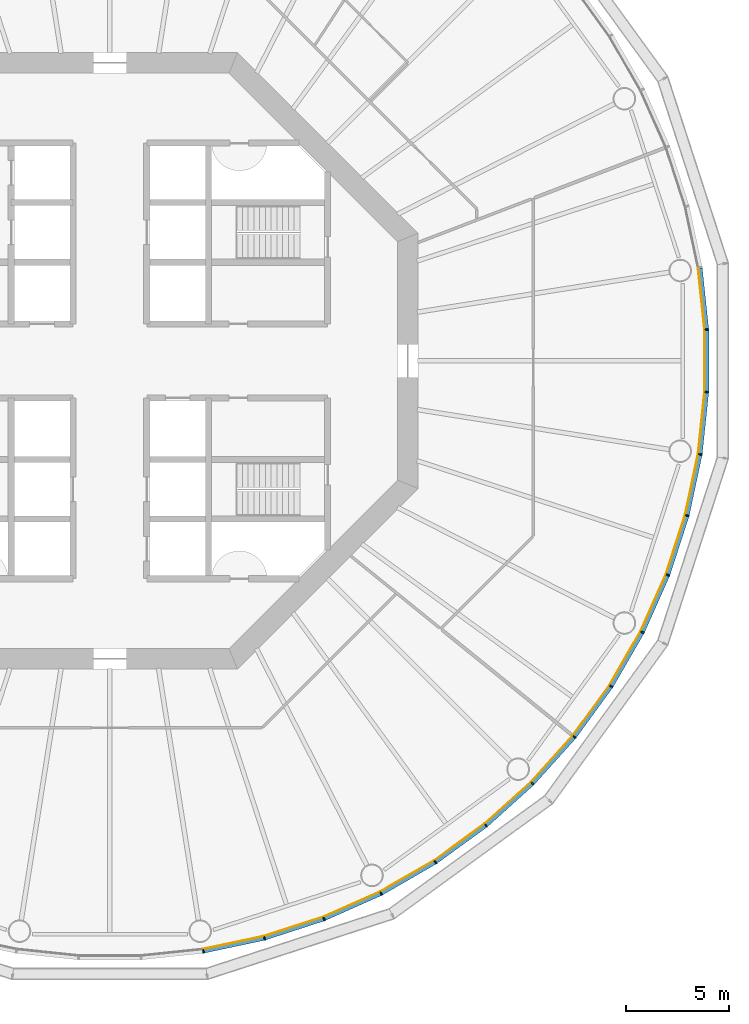
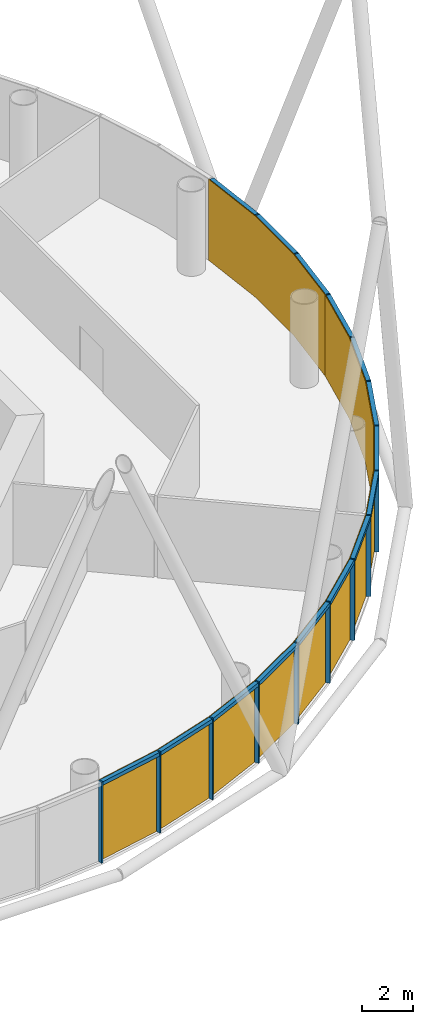
# One storey, part 8 of 12: 30 members, 5 curtain walls.
"""IFC4 building model written with IfcOpenShell, lengths in metres."""

from ifc_helpers import new_model, si_unit, direction, frame, origin, origin_2d, place, context, subcontext, project, spatial, polyline, rectangle, outline, extrude, material, layer, layer_set, material_profile, profile_set, type_object, element, aggregate, save


model = new_model("IFC4")

# Units and contexts
model_context = context("Model", 3, precision=1e-05, world=origin(), true_north=direction((0.0, 1.0)))
body_context = subcontext(model_context, "Body", "Model", "MODEL_VIEW")
ifc_project = project(units=[si_unit("LENGTHUNIT", "METRE"), si_unit("AREAUNIT", "SQUARE_METRE"), si_unit("VOLUMEUNIT", "CUBIC_METRE"), si_unit("PLANEANGLEUNIT", "RADIAN"), si_unit("MASSUNIT", "GRAM", prefix="KILO")], contexts=[model_context])

# Member
ifc_material_1 = material(Name="Anodised aluminium", Category="aluminium")
ifc_material_profile_1 = material_profile(ifc_material_1, rectangle(XDim=0.06494140625, YDim=0.18505859375, at=origin_2d()), Name="Mullion 65 x 185 mm anodised aluminium")
ifc_profile_set_1 = profile_set([ifc_material_profile_1], Name="Anodised aluminium")
member_type_1 = type_object("IfcMemberType", Name="Mullion 65 x 185 mm anodised aluminium", PredefinedType="MULLION", material=ifc_profile_set_1)
site_placement = place(None, origin())
building_placement = place(site_placement, origin())
storey_placement = place(building_placement, frame((0.0, 0.0, 144.0)))
member_1_placement = place(storey_placement, frame((94.551025390625, 51.265625, 0.0), z_axis=(0.0, 0.0, 1.0), x_axis=(0.987688340595, 0.15643446504, 0.0)))
member_1 = element("IfcMember", 1, at=member_1_placement, type_object=member_type_1, Name="MULLION L32-45", PredefinedType="MULLION", context=body_context, shape_type="SweptSolid", body=[
    extrude(rectangle(XDim=0.06494140625, YDim=0.18505859375, at=origin_2d()), origin(), (0.0, 0.0, 1.0), 3.85009765625),
])

member_2_placement = place(storey_placement, frame((97.52978515625, 51.898681640625, 0.0), z_axis=(0.0, 0.0, 1.0), x_axis=(0.965925826289, 0.258819045103, 0.0)))
member_2 = element("IfcMember", 2, at=member_2_placement, type_object=member_type_1, Name="MULLION L32-46", PredefinedType="MULLION", context=body_context, shape_type="SweptSolid", body=[
    extrude(rectangle(XDim=0.06494140625, YDim=0.18505859375, at=origin_2d()), origin(), (0.0, 0.0, 1.0), 3.85009765625),
])

member_3_placement = place(storey_placement, frame((100.42578125, 52.83984375, 0.0), z_axis=(0.0, 0.0, 1.0), x_axis=(0.933580426497, 0.358367949545, 0.0)))
member_3 = element("IfcMember", 3, at=member_3_placement, type_object=member_type_1, Name="MULLION L32-47", PredefinedType="MULLION", context=body_context, shape_type="SweptSolid", body=[
    extrude(rectangle(XDim=0.06494140625, YDim=0.18505859375, at=origin_2d()), origin(), (0.0, 0.0, 1.0), 3.85009765625),
])

member_4_placement = place(storey_placement, frame((103.207763671875, 54.078369140625, 0.0), z_axis=(0.0, 0.0, 1.0), x_axis=(0.891006524188, 0.45399049974, 0.0)))
member_4 = element("IfcMember", 4, at=member_4_placement, type_object=member_type_1, Name="MULLION L32-48", PredefinedType="MULLION", context=body_context, shape_type="SweptSolid", body=[
    extrude(rectangle(XDim=0.06494140625, YDim=0.18505859375, at=origin_2d()), origin(), (0.0, 0.0, 1.0), 3.85009765625),
])

member_5_placement = place(storey_placement, frame((105.844970703125, 55.60107421875, 0.0), z_axis=(0.0, 0.0, 1.0), x_axis=(0.838670567945, 0.544639035015, 0.0)))
member_5 = element("IfcMember", 5, at=member_5_placement, type_object=member_type_1, Name="MULLION L32-49", PredefinedType="MULLION", context=body_context, shape_type="SweptSolid", body=[
    extrude(rectangle(XDim=0.06494140625, YDim=0.18505859375, at=origin_2d()), origin(), (0.0, 0.0, 1.0), 3.85009765625),
])

member_6_placement = place(storey_placement, frame((108.30859375, 57.390869140625, 0.0), z_axis=(0.0, 0.0, 1.0), x_axis=(0.777145961457, 0.62932039105, 0.0)))
member_6 = element("IfcMember", 6, at=member_6_placement, type_object=member_type_1, Name="MULLION L32-50", PredefinedType="MULLION", context=body_context, shape_type="SweptSolid", body=[
    extrude(rectangle(XDim=0.06494140625, YDim=0.18505859375, at=origin_2d()), origin(), (0.0, 0.0, 1.0), 3.85009765625),
])

member_7_placement = place(storey_placement, frame((110.571533203125, 59.428466796875, 0.0), z_axis=(0.0, 0.0, 1.0), x_axis=(0.707106781187, 0.707106781187, 0.0)))
member_7 = element("IfcMember", 7, at=member_7_placement, type_object=member_type_1, Name="MULLION L32-51", PredefinedType="MULLION", context=body_context, shape_type="SweptSolid", body=[
    extrude(rectangle(XDim=0.06494140625, YDim=0.18505859375, at=origin_2d()), origin(), (0.0, 0.0, 1.0), 3.85009765625),
])

member_8_placement = place(storey_placement, frame((112.609130859375, 61.69140625, 0.0), z_axis=(0.0, 0.0, 1.0), x_axis=(0.62932039105, 0.777145961457, 0.0)))
member_8 = element("IfcMember", 8, at=member_8_placement, type_object=member_type_1, Name="MULLION L32-52", PredefinedType="MULLION", context=body_context, shape_type="SweptSolid", body=[
    extrude(rectangle(XDim=0.06494140625, YDim=0.18505859375, at=origin_2d()), origin(), (0.0, 0.0, 1.0), 3.85009765625),
])

member_9_placement = place(storey_placement, frame((114.39892578125, 64.155029296875, 0.0), z_axis=(0.0, 0.0, 1.0), x_axis=(0.544639035015, 0.838670567945, 0.0)))
member_9 = element("IfcMember", 9, at=member_9_placement, type_object=member_type_1, Name="MULLION L32-53", PredefinedType="MULLION", context=body_context, shape_type="SweptSolid", body=[
    extrude(rectangle(XDim=0.06494140625, YDim=0.18505859375, at=origin_2d()), origin(), (0.0, 0.0, 1.0), 3.85009765625),
])

member_10_placement = place(storey_placement, frame((115.921630859375, 66.792236328125, 0.0), z_axis=(0.0, 0.0, 1.0), x_axis=(0.45399049974, 0.891006524188, 0.0)))
member_10 = element("IfcMember", 10, at=member_10_placement, type_object=member_type_1, Name="MULLION L32-54", PredefinedType="MULLION", context=body_context, shape_type="SweptSolid", body=[
    extrude(rectangle(XDim=0.06494140625, YDim=0.18505859375, at=origin_2d()), origin(), (0.0, 0.0, 1.0), 3.85009765625),
])

member_11_placement = place(storey_placement, frame((117.16015625, 69.57421875, 0.0), z_axis=(0.0, 0.0, 1.0), x_axis=(0.358367949545, 0.933580426497, 0.0)))
member_11 = element("IfcMember", 11, at=member_11_placement, type_object=member_type_1, Name="MULLION L32-55", PredefinedType="MULLION", context=body_context, shape_type="SweptSolid", body=[
    extrude(rectangle(XDim=0.06494140625, YDim=0.18505859375, at=origin_2d()), origin(), (0.0, 0.0, 1.0), 3.85009765625),
])

member_12_placement = place(storey_placement, frame((118.101318359375, 72.47021484375, 0.0), z_axis=(0.0, 0.0, 1.0), x_axis=(0.258819045103, 0.965925826289, 0.0)))
member_12 = element("IfcMember", 12, at=member_12_placement, type_object=member_type_1, Name="MULLION L32-56", PredefinedType="MULLION", context=body_context, shape_type="SweptSolid", body=[
    extrude(rectangle(XDim=0.06494140625, YDim=0.18505859375, at=origin_2d()), origin(), (0.0, 0.0, 1.0), 3.85009765625),
])

member_13_placement = place(storey_placement, frame((118.734375, 75.448974609375, 0.0), z_axis=(0.0, 0.0, 1.0), x_axis=(0.15643446504, 0.987688340595, 0.0)))
member_13 = element("IfcMember", 13, at=member_13_placement, type_object=member_type_1, Name="MULLION L32-57", PredefinedType="MULLION", context=body_context, shape_type="SweptSolid", body=[
    extrude(rectangle(XDim=0.06494140625, YDim=0.18505859375, at=origin_2d()), origin(), (0.0, 0.0, 1.0), 3.85009765625),
])

member_14_placement = place(storey_placement, frame((119.052734375, 78.477294921875, 0.0), z_axis=(0.0, 0.0, 1.0), x_axis=(0.052335956243, 0.998629534755, 0.0)))
member_14 = element("IfcMember", 14, at=member_14_placement, type_object=member_type_1, Name="MULLION L32-58", PredefinedType="MULLION", context=body_context, shape_type="SweptSolid", body=[
    extrude(rectangle(XDim=0.06494140625, YDim=0.18505859375, at=origin_2d()), origin(), (0.0, 0.0, 1.0), 3.85009765625),
])

member_15_placement = place(storey_placement, frame((119.052734375, 81.522705078125, 0.0), z_axis=(0.0, 0.0, 1.0), x_axis=(-0.052335956243, 0.998629534755, 0.0)))
member_15 = element("IfcMember", 15, at=member_15_placement, type_object=member_type_1, Name="MULLION L32-59", PredefinedType="MULLION", context=body_context, shape_type="SweptSolid", body=[
    extrude(rectangle(XDim=0.06494140625, YDim=0.18505859375, at=origin_2d()), origin(), (0.0, 0.0, 1.0), 3.85009765625),
])

ifc_material_2 = material(Name="Anodised aluminium", Category="aluminium")
ifc_material_profile_2 = material_profile(ifc_material_2, rectangle(XDim=0.18505859375, YDim=0.175048828125, at=origin_2d()), Name="Transom 175 x 185 mm anodised aluminium")
ifc_profile_set_2 = profile_set([ifc_material_profile_2], Name="Anodised aluminium")
member_type_2 = type_object("IfcMemberType", Name="Transom 175 x 185 mm anodised aluminium", PredefinedType="USERDEFINED", material=ifc_profile_set_2)
member_16_placement = place(storey_placement, frame((94.587646484375, 51.2734375, 3.762451171875), z_axis=(0.97815822425, 0.207861704825, 0.0), x_axis=(-0.207861704825, 0.97815822425, 0.0)))
member_16 = element("IfcMember", 16, at=member_16_placement, type_object=member_type_2, Name="TRANSOM L32-45", ObjectType="TRANSOM", PredefinedType="USERDEFINED", context=body_context, shape_type="SweptSolid", body=[
    extrude(rectangle(XDim=0.18505859375, YDim=0.175048828125, at=origin_2d()), origin(), (0.0, 0.0, 1.0), 2.970458984375),
])

member_17_placement = place(storey_placement, frame((97.565185546875, 51.91015625, 3.762451171875), z_axis=(0.951055809184, 0.30901917063, 0.0), x_axis=(-0.30901917063, 0.951055809184, 0.0)))
member_17 = element("IfcMember", 17, at=member_17_placement, type_object=member_type_2, Name="TRANSOM L32-46", ObjectType="TRANSOM", PredefinedType="USERDEFINED", context=body_context, shape_type="SweptSolid", body=[
    extrude(rectangle(XDim=0.18505859375, YDim=0.175048828125, at=origin_2d()), origin(), (0.0, 0.0, 1.0), 2.970703125),
])

member_18_placement = place(storey_placement, frame((100.4599609375, 52.85498046875, 3.762451171875), z_axis=(0.913567348806, 0.406687471156, 0.0), x_axis=(-0.406687471156, 0.913567348806, 0.0)))
member_18 = element("IfcMember", 18, at=member_18_placement, type_object=member_type_2, Name="TRANSOM L32-47", ObjectType="TRANSOM", PredefinedType="USERDEFINED", context=body_context, shape_type="SweptSolid", body=[
    extrude(rectangle(XDim=0.18505859375, YDim=0.175048828125, at=origin_2d()), origin(), (0.0, 0.0, 1.0), 2.970458984375),
])

member_19_placement = place(storey_placement, frame((103.240234375, 54.096923828125, 3.762451171875), z_axis=(0.866009025146, 0.500028367561, 0.0), x_axis=(-0.500028367561, 0.866009025146, 0.0)))
member_19 = element("IfcMember", 19, at=member_19_placement, type_object=member_type_2, Name="TRANSOM L32-48", ObjectType="TRANSOM", PredefinedType="USERDEFINED", context=body_context, shape_type="SweptSolid", body=[
    extrude(rectangle(XDim=0.18505859375, YDim=0.175048828125, at=origin_2d()), origin(), (0.0, 0.0, 1.0), 2.970458984375),
])

member_20_placement = place(storey_placement, frame((105.875244140625, 55.622802734375, 3.762451171875), z_axis=(0.808991906087, 0.587819781808, 0.0), x_axis=(-0.587819781808, 0.808991906087, 0.0)))
member_20 = element("IfcMember", 20, at=member_20_placement, type_object=member_type_2, Name="TRANSOM L32-49", ObjectType="TRANSOM", PredefinedType="USERDEFINED", context=body_context, shape_type="SweptSolid", body=[
    extrude(rectangle(XDim=0.18505859375, YDim=0.175048828125, at=origin_2d()), origin(), (0.0, 0.0, 1.0), 2.970458984375),
])

member_21_placement = place(storey_placement, frame((108.33642578125, 57.415771484375, 3.762451171875), z_axis=(0.743163354343, 0.669110027395, 0.0), x_axis=(-0.669110027395, 0.743163354343, 0.0)))
member_21 = element("IfcMember", 21, at=member_21_placement, type_object=member_type_2, Name="TRANSOM L32-50", ObjectType="TRANSOM", PredefinedType="USERDEFINED", context=body_context, shape_type="SweptSolid", body=[
    extrude(rectangle(XDim=0.18505859375, YDim=0.175048828125, at=origin_2d()), origin(), (0.0, 0.0, 1.0), 2.970458984375),
])

member_22_placement = place(storey_placement, frame((110.5966796875, 59.4560546875, 3.762451171875), z_axis=(0.669110027395, 0.743163354343, 0.0), x_axis=(-0.743163354343, 0.669110027395, 0.0)))
member_22 = element("IfcMember", 22, at=member_22_placement, type_object=member_type_2, Name="TRANSOM L32-51", ObjectType="TRANSOM", PredefinedType="USERDEFINED", context=body_context, shape_type="SweptSolid", body=[
    extrude(rectangle(XDim=0.18505859375, YDim=0.175048828125, at=origin_2d()), origin(), (0.0, 0.0, 1.0), 2.970458984375),
])

member_23_placement = place(storey_placement, frame((112.631103515625, 61.7216796875, 3.762451171875), z_axis=(0.587819781808, 0.808991906087, 0.0), x_axis=(-0.808991906087, 0.587819781808, 0.0)))
member_23 = element("IfcMember", 23, at=member_23_placement, type_object=member_type_2, Name="TRANSOM L32-52", ObjectType="TRANSOM", PredefinedType="USERDEFINED", context=body_context, shape_type="SweptSolid", body=[
    extrude(rectangle(XDim=0.18505859375, YDim=0.175048828125, at=origin_2d()), origin(), (0.0, 0.0, 1.0), 2.970458984375),
])

member_24_placement = place(storey_placement, frame((114.417724609375, 64.187255859375, 3.762451171875), z_axis=(0.500028367561, 0.866009025146, 0.0), x_axis=(-0.866009025146, 0.500028367561, 0.0)))
member_24 = element("IfcMember", 24, at=member_24_placement, type_object=member_type_2, Name="TRANSOM L32-53", ObjectType="TRANSOM", PredefinedType="USERDEFINED", context=body_context, shape_type="SweptSolid", body=[
    extrude(rectangle(XDim=0.18505859375, YDim=0.175048828125, at=origin_2d()), origin(), (0.0, 0.0, 1.0), 2.970458984375),
])

member_25_placement = place(storey_placement, frame((115.93701171875, 66.826416015625, 3.762451171875), z_axis=(0.406687471156, 0.913567348806, 0.0), x_axis=(-0.913567348806, 0.406687471156, 0.0)))
member_25 = element("IfcMember", 25, at=member_25_placement, type_object=member_type_2, Name="TRANSOM L32-54", ObjectType="TRANSOM", PredefinedType="USERDEFINED", context=body_context, shape_type="SweptSolid", body=[
    extrude(rectangle(XDim=0.18505859375, YDim=0.175048828125, at=origin_2d()), origin(), (0.0, 0.0, 1.0), 2.970458984375),
])

member_26_placement = place(storey_placement, frame((117.171875, 69.609619140625, 3.762451171875), z_axis=(0.30901917063, 0.951055809184, 0.0), x_axis=(-0.951055809184, 0.30901917063, 0.0)))
member_26 = element("IfcMember", 26, at=member_26_placement, type_object=member_type_2, Name="TRANSOM L32-55", ObjectType="TRANSOM", PredefinedType="USERDEFINED", context=body_context, shape_type="SweptSolid", body=[
    extrude(rectangle(XDim=0.18505859375, YDim=0.175048828125, at=origin_2d()), origin(), (0.0, 0.0, 1.0), 2.970703125),
])

member_27_placement = place(storey_placement, frame((118.109130859375, 72.5068359375, 3.762451171875), z_axis=(0.207861704825, 0.97815822425, 0.0), x_axis=(-0.97815822425, 0.207861704825, 0.0)))
member_27 = element("IfcMember", 27, at=member_27_placement, type_object=member_type_2, Name="TRANSOM L32-56", ObjectType="TRANSOM", PredefinedType="USERDEFINED", context=body_context, shape_type="SweptSolid", body=[
    extrude(rectangle(XDim=0.18505859375, YDim=0.175048828125, at=origin_2d()), origin(), (0.0, 0.0, 1.0), 2.970458984375),
])

member_28_placement = place(storey_placement, frame((118.73828125, 75.486083984375, 3.762451171875), z_axis=(0.104547872381, 0.994519855197, 0.0), x_axis=(-0.994519855197, 0.104547872381, 0.0)))
member_28 = element("IfcMember", 28, at=member_28_placement, type_object=member_type_2, Name="TRANSOM L32-57", ObjectType="TRANSOM", PredefinedType="USERDEFINED", context=body_context, shape_type="SweptSolid", body=[
    extrude(rectangle(XDim=0.18505859375, YDim=0.175048828125, at=origin_2d()), origin(), (0.0, 0.0, 1.0), 2.970458984375),
])

member_29_placement = place(storey_placement, frame((119.052734375, 78.5146484375, 3.762451171875), z_axis=(0.0, 1.0, 0.0), x_axis=(-1.0, 0.0, 0.0)))
member_29 = element("IfcMember", 29, at=member_29_placement, type_object=member_type_2, Name="TRANSOM L32-58", ObjectType="TRANSOM", PredefinedType="USERDEFINED", context=body_context, shape_type="SweptSolid", body=[
    extrude(rectangle(XDim=0.18505859375, YDim=0.175048828125, at=origin_2d()), origin(), (0.0, 0.0, 1.0), 2.970703125),
])

member_30_placement = place(storey_placement, frame((119.048828125, 81.559814453125, 3.762451171875), z_axis=(-0.104547872381, 0.994519855197, 0.0), x_axis=(-0.994519855197, -0.104547872381, 0.0)))
member_30 = element("IfcMember", 30, at=member_30_placement, type_object=member_type_2, Name="TRANSOM L32-59", ObjectType="TRANSOM", PredefinedType="USERDEFINED", context=body_context, shape_type="SweptSolid", body=[
    extrude(rectangle(XDim=0.18505859375, YDim=0.175048828125, at=origin_2d()), origin(), (0.0, 0.0, 1.0), 2.970458984375),
])

# Site, building, storey
site = spatial("IfcSite", under=ifc_project, at=site_placement, CompositionType="ELEMENT")
building = spatial("IfcBuilding", under=site, at=building_placement, Name="Entoto Ring Tower", CompositionType="ELEMENT")
storey = spatial("IfcBuildingStorey", under=building, at=storey_placement, Name="L32", CompositionType="ELEMENT", Elevation=144.0)

# Curtain wall
ifc_material_3 = material(Name="Clear low-iron glass", Category="glass")
ifc_layer = layer(ifc_material_3, 0.033935546875)
ifc_layer_set = layer_set([ifc_layer], Name="Clear low-iron glass")
curtain_wall_type = type_object("IfcCurtainWallType", Name="Curtain wall system CW3 glazing 34 mm", PredefinedType="NOTDEFINED", material=ifc_layer_set)
curtain_wall_1_placement = place(storey_placement, origin())
curtain_wall_1 = element("IfcCurtainWall", 31, at=curtain_wall_1_placement, inside=storey, type_object=curtain_wall_type, Name="CW3 L32-16", PredefinedType="NOTDEFINED", context=body_context, shape_type="SweptSolid", body=[
    extrude(outline(polyline([(94.53662109375, 51.35693359375), (97.505859375, 51.988037109375), (100.392578125, 52.92626953125), (103.165771484375, 54.160888671875), (103.150146484375, 54.191162109375), (100.38037109375, 52.9580078125), (97.496826171875, 52.02099609375), (94.53125, 51.390625), (94.53662109375, 51.35693359375)])), origin(), (0.0, 0.0, 1.0), 3.85009765625),
])

aggregate(curtain_wall_1, [member_1, member_2, member_3, member_16, member_17, member_18])

curtain_wall_2_placement = place(storey_placement, origin())
curtain_wall_2 = element("IfcCurtainWall", 32, at=curtain_wall_2_placement, inside=storey, type_object=curtain_wall_type, Name="CW3 L32-17", PredefinedType="NOTDEFINED", context=body_context, shape_type="SweptSolid", body=[
    extrude(outline(polyline([(103.165771484375, 54.160888671875), (105.79443359375, 55.678466796875), (108.250244140625, 57.462646484375), (110.506103515625, 59.493896484375), (110.48193359375, 59.51806640625), (108.228759765625, 57.4892578125), (105.77587890625, 55.70703125), (103.150146484375, 54.191162109375), (103.165771484375, 54.160888671875)])), origin(), (0.0, 0.0, 1.0), 3.85009765625),
])

aggregate(curtain_wall_2, [member_4, member_5, member_6, member_19, member_20, member_21])

curtain_wall_3_placement = place(storey_placement, origin())
curtain_wall_3 = element("IfcCurtainWall", 33, at=curtain_wall_3_placement, inside=storey, type_object=curtain_wall_type, Name="CW3 L32-18", PredefinedType="NOTDEFINED", context=body_context, shape_type="SweptSolid", body=[
    extrude(outline(polyline([(110.506103515625, 59.493896484375), (112.537353515625, 61.749755859375), (114.321533203125, 64.20556640625), (115.839111328125, 66.834228515625), (115.808837890625, 66.849853515625), (114.29296875, 64.22412109375), (112.5107421875, 61.771240234375), (110.48193359375, 59.51806640625), (110.506103515625, 59.493896484375)])), origin(), (0.0, 0.0, 1.0), 3.85009765625),
])

aggregate(curtain_wall_3, [member_7, member_8, member_9, member_22, member_23, member_24])

curtain_wall_4_placement = place(storey_placement, origin())
curtain_wall_4 = element("IfcCurtainWall", 34, at=curtain_wall_4_placement, inside=storey, type_object=curtain_wall_type, Name="CW3 L32-19", PredefinedType="NOTDEFINED", context=body_context, shape_type="SweptSolid", body=[
    extrude(outline(polyline([(115.839111328125, 66.834228515625), (117.07373046875, 69.607421875), (118.011962890625, 72.494140625), (118.64306640625, 75.46337890625), (118.609375, 75.46875), (117.97900390625, 72.503173828125), (117.0419921875, 69.61962890625), (115.808837890625, 66.849853515625), (115.839111328125, 66.834228515625)])), origin(), (0.0, 0.0, 1.0), 3.85009765625),
])

aggregate(curtain_wall_4, [member_10, member_11, member_12, member_25, member_26, member_27])

curtain_wall_5_placement = place(storey_placement, origin())
curtain_wall_5 = element("IfcCurtainWall", 35, at=curtain_wall_5_placement, inside=storey, type_object=curtain_wall_type, Name="CW3 L32-20", PredefinedType="NOTDEFINED", context=body_context, shape_type="SweptSolid", body=[
    extrude(outline(polyline([(118.64306640625, 75.46337890625), (118.960205078125, 78.482177734375), (118.960205078125, 81.517822265625), (118.64306640625, 84.53662109375), (118.609375, 84.53125), (118.92626953125, 81.515869140625), (118.92626953125, 78.484130859375), (118.609375, 75.46875), (118.64306640625, 75.46337890625)])), origin(), (0.0, 0.0, 1.0), 3.85009765625),
])

aggregate(curtain_wall_5, [member_13, member_14, member_15, member_28, member_29, member_30])

save(model, "model.ifc")
